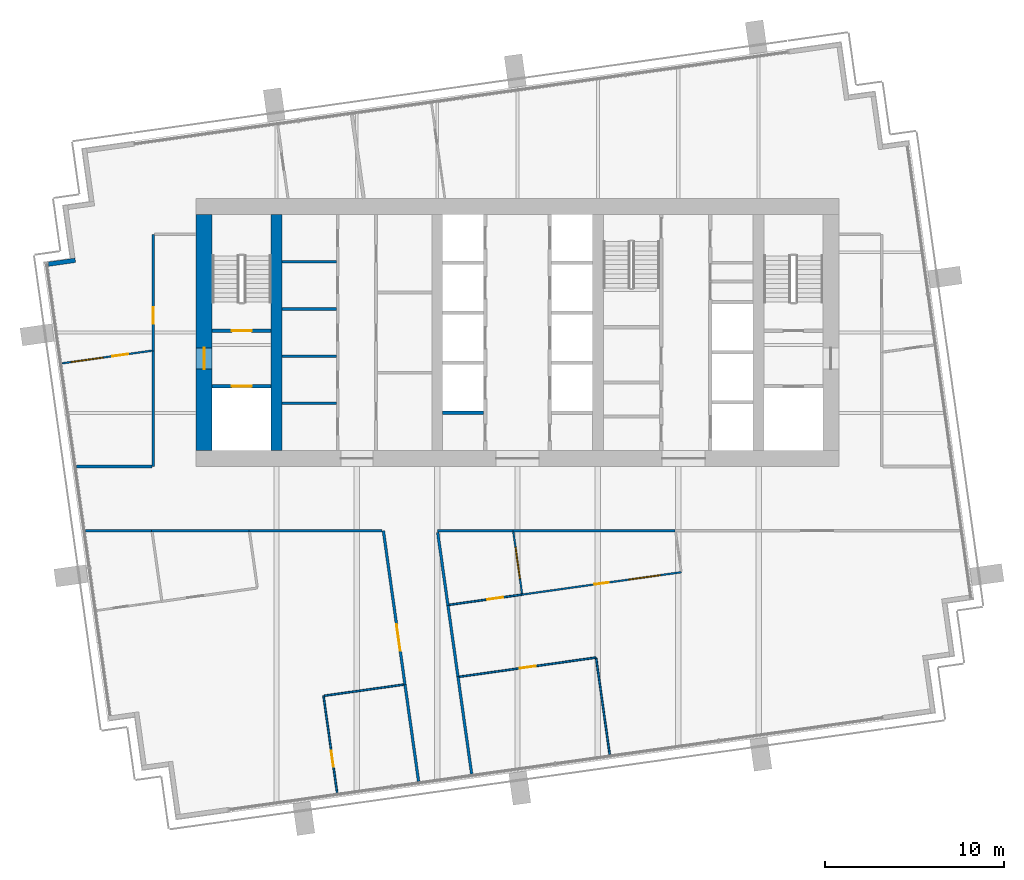
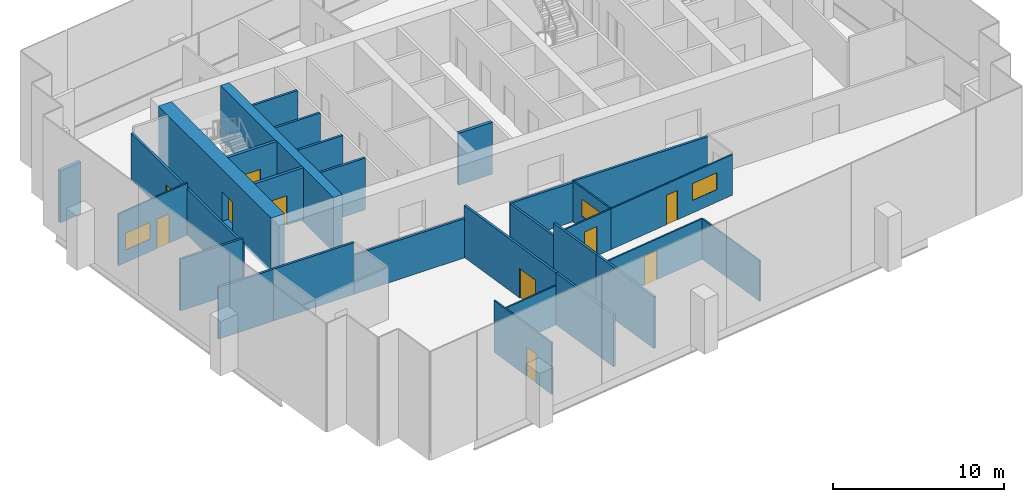
# One storey, part 8 of 15: 31 walls, 10 doors, 3 windows, 13 openings.
"""IFC4 building model written with IfcOpenShell, lengths in metres."""

import ifcopenshell
import ifcopenshell.guid

model = None  # the IFC model being written
_history = None  # IfcOwnerHistory: only IFC2X3 demands one
_inside = {}  # id of a spatial element -> (the spatial element, [elements in it])
_under = {}  # id of a project, library or spatial element -> (it, [spatial elements below it])
_declared = {}  # id of a project -> (the project, [libraries it declares])
_typed = {}  # id of a type object -> (the type object, [elements of that type])
_made_of = {}  # id of a material, layer set ... -> (it, [elements and type objects made of it])


def new_model(schema):
    """Start an empty IFC model of exactly this schema.

    Asked for "IFC4X3", IfcOpenShell would pick the latest addendum, in which some entities
    have other attributes; the version numbers below select the first issue.
    IFC2X3 requires an IfcOwnerHistory on every rooted entity: one is made here for all.
    """
    global model, _history
    if schema == "IFC4X3":
        model = ifcopenshell.file(schema_version=(4, 3, 0, 0))
    else:
        model = ifcopenshell.file(schema=schema)
    _inside.clear()
    _under.clear()
    _declared.clear()
    _typed.clear()
    _made_of.clear()
    _history = None
    if model.schema == "IFC2X3":
        org = make("IfcOrganization", Name="unknown")
        user = make(
            "IfcPersonAndOrganization",
            ThePerson=make("IfcPerson", FamilyName="unknown"),
            TheOrganization=org,
        )
        app = make(
            "IfcApplication",
            ApplicationDeveloper=org,
            Version="unknown",
            ApplicationFullName="unknown",
            ApplicationIdentifier="unknown",
        )
        _history = make(
            "IfcOwnerHistory",
            OwningUser=user,
            OwningApplication=app,
            ChangeAction="ADDED",
            CreationDate=0,
        )
    return model


def make(cls, **values):
    """One entity of the class cls with the attributes given. An attribute that is None is left unset."""
    return model.create_entity(
        cls, **{name: value for name, value in values.items() if value is not None}
    )


def rooted(cls, **values):
    """An entity with a GlobalId (a new one), such as an element, a storey or a relation."""
    return make(cls, GlobalId=ifcopenshell.guid.new(), OwnerHistory=_history, **values)


def si_unit(unit_type, name, prefix=None):
    """IfcSIUnit, for example si_unit("LENGTHUNIT", "METRE", prefix="MILLI")."""
    return make("IfcSIUnit", UnitType=unit_type, Prefix=prefix, Name=name)


def assignment(units):
    """IfcUnitAssignment: the units of a project."""
    return None if units is None else make("IfcUnitAssignment", Units=units)


def point(xyz):
    """IfcCartesianPoint."""
    return None if xyz is None else make("IfcCartesianPoint", Coordinates=xyz)


def direction(xyz):
    """IfcDirection."""
    return None if xyz is None else make("IfcDirection", DirectionRatios=xyz)


def frame(location, z_axis=None, x_axis=None):
    """IfcAxis2Placement3D, a coordinate frame: its origin and axes. An axis left out is left unset."""
    return make(
        "IfcAxis2Placement3D",
        Location=point(location),
        Axis=direction(z_axis),
        RefDirection=direction(x_axis),
    )


def frame_2d(location, x_axis=None):
    """IfcAxis2Placement2D, a coordinate frame in the plane: its origin and x axis."""
    return make(
        "IfcAxis2Placement2D", Location=point(location), RefDirection=direction(x_axis)
    )


def origin():
    """The frame at (0, 0, 0) with its axes left unset."""
    return frame((0.0, 0.0, 0.0))


def place(relative_to, where):
    """IfcLocalPlacement: puts the frame where relative to a parent placement (None: the world)."""
    return make(
        "IfcLocalPlacement", PlacementRelTo=relative_to, RelativePlacement=where
    )


def context(
    kind, dimensions, precision=None, world=None, true_north=None, identifier=None
):
    """IfcGeometricRepresentationContext, for example the 3D "Model" context."""
    return make(
        "IfcGeometricRepresentationContext",
        ContextIdentifier=identifier,
        ContextType=kind,
        CoordinateSpaceDimension=dimensions,
        Precision=precision,
        WorldCoordinateSystem=world,
        TrueNorth=true_north,
    )


def subcontext(parent, identifier, kind, view, scale=None):
    """IfcGeometricRepresentationSubContext, for example "Body" below "Model"."""
    return make(
        "IfcGeometricRepresentationSubContext",
        ContextIdentifier=identifier,
        ContextType=kind,
        ParentContext=parent,
        TargetScale=scale,
        TargetView=view,
    )


def project(units=None, contexts=None):
    """IfcProject with its units and contexts."""
    return rooted(
        "IfcProject",
        Name="project",
        RepresentationContexts=contexts,
        UnitsInContext=assignment(units),
    )


def spatial(cls, under=None, at=None, **own):
    """A site, building, storey or space (cls), placed at a placement, below another one or the project."""
    s = rooted(cls, ObjectPlacement=at, **own)
    if under is not None:
        _under.setdefault(under.id(), (under, []))[1].append(s)
    return s


def profile(cls, at=None, kind="AREA", **sizes):
    """A parametric profile (cls). Its sizes go by their IFC names, for example OverallWidth=200.0."""
    return make(cls, ProfileType=kind, Position=at, **sizes)


def rectangle(**sizes):
    """IfcRectangleProfileDef."""
    return profile("IfcRectangleProfileDef", **sizes)


def extrude(swept, where, along, depth):
    """IfcExtrudedAreaSolid: the profile swept, set in the frame where, extruded along a direction by depth."""
    return make(
        "IfcExtrudedAreaSolid",
        SweptArea=swept,
        Position=where,
        ExtrudedDirection=direction(along),
        Depth=depth,
    )


def shape(context_of_items, identifier, shape_type, items):
    """IfcShapeRepresentation: the items that make up one representation, for example the "Body"."""
    return make(
        "IfcShapeRepresentation",
        ContextOfItems=context_of_items,
        RepresentationIdentifier=identifier,
        RepresentationType=shape_type,
        Items=items,
    )


def material(Name=None, Category=None):
    """IfcMaterial."""
    return make("IfcMaterial", Name=Name, Category=Category)


def layer(
    of_material, thickness, ventilated=None, Name=None, Category=None, Priority=None
):
    """IfcMaterialLayer: one layer of a wall or slab, of a material (None: an air gap)."""
    return make(
        "IfcMaterialLayer",
        Material=of_material,
        LayerThickness=thickness,
        IsVentilated=ventilated,
        Name=Name,
        Category=Category,
        Priority=Priority,
    )


def layer_set(layers, Name=None):
    """IfcMaterialLayerSet."""
    return make("IfcMaterialLayerSet", MaterialLayers=layers, LayerSetName=Name)


def made_of(thing, what):
    """Note that an element or type object is made of a material, layer set ...; save() writes the relation."""
    if what is not None:
        _made_of.setdefault(what.id(), (what, []))[1].append(thing)
    return thing


def type_object(cls, material=None, **own):
    """A type object (cls), such as IfcWallType, which elements share."""
    return made_of(rooted(cls, **own), material)


def element(
    cls,
    number,
    at=None,
    inside=None,
    cuts=None,
    type_object=None,
    material=None,
    context=None,
    identifier="Body",
    shape_type=None,
    held_by="IfcProductDefinitionShape",
    body=None,
    shapes=None,
    **own,
):
    """One element of the class cls, such as IfcWall. Its Tag is "e" and its number.

    at: its placement. inside: the storey or other place that contains it. cuts: it is an
    opening in that element (IfcRelVoidsElement). A single representation is given by context,
    identifier, shape_type and body (its items); several are given by shapes. held_by: the class
    of the entity that holds the representations. save() writes the other relations.
    """
    e = rooted(cls, Tag="e%d" % number, ObjectPlacement=at, **own)
    if body is not None:
        shapes = [shape(context, identifier, shape_type, body)]
    if shapes is not None:
        e.Representation = make(held_by, Representations=shapes)
    if inside is not None:
        _inside.setdefault(inside.id(), (inside, []))[1].append(e)
    if cuts is not None:
        rooted(
            "IfcRelVoidsElement", RelatingBuildingElement=cuts, RelatedOpeningElement=e
        )
    if type_object is not None:
        _typed.setdefault(type_object.id(), (type_object, []))[1].append(e)
    return made_of(e, material)


def fill(opening, filler):
    """IfcRelFillsElement: the door or window that sits in an opening."""
    return rooted(
        "IfcRelFillsElement",
        RelatingOpeningElement=opening,
        RelatedBuildingElement=filler,
    )


def aggregate(whole, parts):
    """IfcRelAggregates: a whole, such as a stair, and the parts it consists of."""
    return rooted("IfcRelAggregates", RelatingObject=whole, RelatedObjects=parts)


def save(model, path):
    """Write the relations noted so far, then the file.

    IfcRelAggregates (storeys below a building ...), IfcRelContainedInSpatialStructure (elements
    in a storey), IfcRelDefinesByType, IfcRelAssociatesMaterial and IfcRelDeclares: one each for
    every whole, place, type object, material and project.
    """
    for whole, parts in _under.values():
        aggregate(whole, parts)
    for where, things in _inside.values():
        rooted(
            "IfcRelContainedInSpatialStructure",
            RelatedElements=things,
            RelatingStructure=where,
        )
    for kind, things in _typed.values():
        rooted("IfcRelDefinesByType", RelatedObjects=things, RelatingType=kind)
    for what, things in _made_of.values():
        rooted("IfcRelAssociatesMaterial", RelatedObjects=things, RelatingMaterial=what)
    for by, libraries in _declared.values():
        rooted("IfcRelDeclares", RelatingContext=by, RelatedDefinitions=libraries)
    model.write(path)


model = new_model("IFC4")

# Units and contexts
model_context = context("Model", 3, precision=1e-05, world=origin(), true_north=direction((0.0, 1.0)))
body_context = subcontext(model_context, "Body", "Model", "MODEL_VIEW")
ifc_project = project(units=[si_unit("LENGTHUNIT", "METRE"), si_unit("AREAUNIT", "SQUARE_METRE"), si_unit("VOLUMEUNIT", "CUBIC_METRE"), si_unit("PLANEANGLEUNIT", "RADIAN"), si_unit("MASSUNIT", "GRAM", prefix="KILO")], contexts=[model_context])

# Site, building, storey
site_placement = place(None, origin())
site = spatial("IfcSite", under=ifc_project, at=site_placement, CompositionType="ELEMENT")
building_placement = place(site_placement, origin())
building = spatial("IfcBuilding", under=site, at=building_placement, Name="Rattan Terrace Tower", CompositionType="ELEMENT")
storey_placement = place(building_placement, frame((0.0, 0.0, 255.10009765625)))
storey = spatial("IfcBuildingStorey", under=building, at=storey_placement, Name="L58", CompositionType="ELEMENT", Elevation=255.10009765625)

# Walls
ifc_material_1 = material(Name="Gypsum board partition")
ifc_layer_1 = layer(ifc_material_1, 0.14990234375)
ifc_layer_set_1 = layer_set([ifc_layer_1], Name="Core partition 150")
wall_type_1 = type_object("IfcWallType", Name="Core partition 150", PredefinedType="PARTITIONING", material=ifc_layer_set_1)
for number, where, z_axis, x_axis, name in (
    (1, (-13.199951171875, -3.9599609375, 0.0), (0.0, 0.0, 1.0), (1.0, 0.0, 0.0), "Core room wall"),
    (2, (-13.199951171875, -1.320068359375, 0.0), (0.0, 0.0, 1.0), (1.0, 0.0, 0.0), "Core room wall"),
    (3, (-13.199951171875, 1.320068359375, 0.0), (0.0, 0.0, 1.0), (1.0, 0.0, 0.0), "Core room wall"),
    (4, (-13.199951171875, 3.9599609375, 0.0), (0.0, 0.0, 1.0), (1.0, 0.0, 0.0), "Core room wall"),
):
    element("IfcWall", number, at=place(storey_placement, frame(where, z_axis=z_axis, x_axis=x_axis)), inside=storey, type_object=wall_type_1, Name=name, PredefinedType="PARTITIONING", context=body_context, shape_type="SweptSolid", body=[
        extrude(rectangle(XDim=3.050048828125, YDim=0.14990234375, at=frame_2d((1.52490234375, 0.0))), origin(), (0.0, 0.0, 1.0), 3.699951171875),
    ])

# Wall, opening, door
ifc_material_2 = material(Name="Gypsum board partition")
ifc_layer_2 = layer(ifc_material_2, 0.199951171875)
ifc_layer_set_2 = layer_set([ifc_layer_2], Name="Core partition 200")
wall_type_2 = type_object("IfcWallType", Name="Core partition 200", PredefinedType="PARTITIONING", material=ifc_layer_set_2)
wall_1_placement = place(storey_placement, frame((-17.10009765625, -3.0, 0.0), z_axis=(0.0, 0.0, 1.0), x_axis=(1.0, 0.0, 0.0)))
wall_1 = element("IfcWall", 5, at=wall_1_placement, inside=storey, type_object=wall_type_2, Name="Fire-fighting lobby wall", PredefinedType="PARTITIONING", context=body_context, shape_type="SweptSolid", body=[
    extrude(rectangle(XDim=3.300048828125, YDim=0.199951171875, at=frame_2d((1.64990234375, 0.0))), origin(), (0.0, 0.0, 1.0), 3.699951171875),
])
opening_1_placement = place(wall_1_placement, frame((1.10009765625, 0.0, 0.0)))
opening_1 = element("IfcOpeningElement", 6, at=opening_1_placement, cuts=wall_1, Name="Opening L58-LD-FF1", PredefinedType="OPENING", context=body_context, shape_type="SweptSolid", body=[
    extrude(rectangle(XDim=1.10009765625, YDim=2.10009765625, at=frame_2d((0.550048828125, 1.050048828125))), frame((0.0, 0.110595703125, 0.0), z_axis=(0.0, -1.0, 0.0), x_axis=(1.0, 0.0, 0.0)), (0.0, 0.0, 1.0), 0.220947265625),
])
ifc_material_3 = material(Name="Brushed stainless landing door panel")
door_type_1 = type_object("IfcDoorType", Name="Core lift landing door 1100", OperationType="DOUBLE_DOOR_SLIDING", PredefinedType="DOOR", material=ifc_material_3)
door_1_placement = place(opening_1_placement, origin())
door_1 = element("IfcDoor", 7, at=door_1_placement, inside=storey, type_object=door_type_1, Name="Door L58-LD-FF1", OperationType="DOUBLE_DOOR_SLIDING", OverallHeight=2.10009765625, OverallWidth=1.10009765625, PredefinedType="DOOR", context=body_context, shape_type="SweptSolid", body=[
    extrude(rectangle(XDim=1.10009765625, YDim=2.10009765625, at=frame_2d((0.550048828125, 1.050048828125))), frame((0.0, 0.02490234375, 0.0), z_axis=(0.0, -1.0, 0.0), x_axis=(1.0, 0.0, 0.0)), (0.0, 0.0, 1.0), 0.050048828125),
])
fill(opening_1, door_1)

wall_2_placement = place(storey_placement, frame((-17.10009765625, 0.10009765625, 0.0), z_axis=(0.0, 0.0, 1.0), x_axis=(1.0, 0.0, 0.0)))
wall_2 = element("IfcWall", 8, at=wall_2_placement, inside=storey, type_object=wall_type_2, Name="Stair enclosure wall", PredefinedType="PARTITIONING", context=body_context, shape_type="SweptSolid", body=[
    extrude(rectangle(XDim=3.300048828125, YDim=0.199951171875, at=frame_2d((1.64990234375, 0.0))), origin(), (0.0, 0.0, 1.0), 3.699951171875),
])
opening_2_placement = place(wall_2_placement, frame((1.10009765625, 0.0, 0.0)))
opening_2 = element("IfcOpeningElement", 9, at=opening_2_placement, cuts=wall_2, Name="Opening L58-D002", PredefinedType="OPENING", context=body_context, shape_type="SweptSolid", body=[
    extrude(rectangle(XDim=1.10009765625, YDim=2.10009765625, at=frame_2d((0.550048828125, 1.050048828125))), frame((0.0, 0.110595703125, 0.0), z_axis=(0.0, -1.0, 0.0), x_axis=(1.0, 0.0, 0.0)), (0.0, 0.0, 1.0), 0.220947265625),
])
ifc_material_4 = material(Name="Hollow-metal fire door leaf")
door_type_2 = type_object("IfcDoorType", Name="Core stair door 1100", OperationType="NOTDEFINED", PredefinedType="DOOR", material=ifc_material_4)
door_2_placement = place(opening_2_placement, origin())
door_2 = element("IfcDoor", 10, at=door_2_placement, inside=storey, type_object=door_type_2, Name="Door L58-D002", OperationType="SINGLE_SWING_RIGHT", OverallHeight=2.10009765625, OverallWidth=1.10009765625, PredefinedType="DOOR", context=body_context, shape_type="SweptSolid", body=[
    extrude(rectangle(XDim=1.10009765625, YDim=2.10009765625, at=frame_2d((0.550048828125, 1.050048828125))), frame((0.0, 0.02490234375, 0.0), z_axis=(0.0, -1.0, 0.0), x_axis=(1.0, 0.0, 0.0)), (0.0, 0.0, 1.0), 0.050048828125),
])
fill(opening_2, door_2)

ifc_material_5 = material(Name="Concrete C50/60", Category="concrete")
ifc_layer_3 = layer(ifc_material_5, 0.89990234375)
ifc_layer_set_3 = layer_set([ifc_layer_3], Name="Core ring wall 900 C50/60")
wall_type_3 = type_object("IfcWallType", Name="Core ring wall 900 C50/60", PredefinedType="SHEAR", material=ifc_layer_set_3)
wall_3_placement = place(storey_placement, frame((-17.550048828125, -6.60009765625, -0.2001953125), z_axis=(0.0, 0.0, 1.0), x_axis=(0.0, 1.0, 0.0)))
wall_3 = element("IfcWall", 11, at=wall_3_placement, inside=storey, type_object=wall_type_3, Name="Rear core wall west", PredefinedType="SHEAR", context=body_context, shape_type="SweptSolid", body=[
    extrude(rectangle(XDim=13.2001953125, YDim=0.89990234375, at=frame_2d((6.60009765625, 0.0))), origin(), (0.0, 0.0, 1.0), 3.900146484375),
])
opening_3_placement = place(wall_3_placement, frame((4.550048828125, 0.0, 0.199951171875)))
opening_3 = element("IfcOpeningElement", 12, at=opening_3_placement, cuts=wall_3, Name="Opening L58-D001", PredefinedType="OPENING", context=body_context, shape_type="SweptSolid", body=[
    extrude(rectangle(XDim=1.199951171875, YDim=2.10009765625, at=frame_2d((0.60009765625, 1.050048828125))), frame((0.0, 0.46044921875, 0.0), z_axis=(0.0, -1.0, 0.0), x_axis=(1.0, 0.0, 0.0)), (0.0, 0.0, 1.0), 0.9208984375),
])
ifc_material_6 = material(Name="Hollow-metal fire door leaf")
door_type_3 = type_object("IfcDoorType", Name="Core fire-fighting lobby door 1200", OperationType="NOTDEFINED", PredefinedType="DOOR", material=ifc_material_6)
door_3_placement = place(opening_3_placement, origin())
door_3 = element("IfcDoor", 13, at=door_3_placement, inside=storey, type_object=door_type_3, Name="Door L58-D001", OperationType="SINGLE_SWING_LEFT", OverallHeight=2.10009765625, OverallWidth=1.199951171875, PredefinedType="DOOR", context=body_context, shape_type="SweptSolid", body=[
    extrude(rectangle(XDim=1.199951171875, YDim=2.10009765625, at=frame_2d((0.60009765625, 1.050048828125))), frame((0.0, 0.02490234375, 0.0), z_axis=(0.0, -1.0, 0.0), x_axis=(1.0, 0.0, 0.0)), (0.0, 0.0, 1.0), 0.050048828125),
])
fill(opening_3, door_3)

# Walls
ifc_material_7 = material(Name="Concrete C50/60", Category="concrete")
ifc_layer_4 = layer(ifc_material_7, 0.60009765625)
ifc_layer_set_4 = layer_set([ifc_layer_4], Name="Core spine wall 600 C50/60")
wall_type_4 = type_object("IfcWallType", Name="Core spine wall 600 C50/60", PredefinedType="SHEAR", material=ifc_layer_set_4)
wall_4_placement = place(storey_placement, frame((-13.5, -6.60009765625, -0.2001953125), z_axis=(0.0, 0.0, 1.0), x_axis=(0.0, 1.0, 0.0)))
element("IfcWall", 14, at=wall_4_placement, inside=storey, type_object=wall_type_4, Name="Core spine wall 1", PredefinedType="SHEAR", context=body_context, shape_type="SweptSolid", body=[
    extrude(rectangle(XDim=13.2001953125, YDim=0.60009765625, at=frame_2d((6.60009765625, 0.0))), origin(), (0.0, 0.0, 1.0), 3.900146484375),
])
ifc_material_8 = material(Name="Insulated aluminium-clad stud wall", Category="aluminium")
ifc_layer_5 = layer(ifc_material_8, 0.25)
ifc_layer_set_5 = layer_set([ifc_layer_5], Name="Facade Riser Wall 250")
wall_type_5 = type_object("IfcWallType", Name="Facade Riser Wall 250", PredefinedType="SOLIDWALL", material=ifc_layer_set_5)
wall_5_placement = place(storey_placement, frame((-24.769287109375, 4.045654296875, 0.0), z_axis=(0.0, 0.0, 1.0), x_axis=(-0.990260716096, -0.139225407725, 0.0)))
element("IfcWall", 15, at=wall_5_placement, inside=storey, type_object=wall_type_5, Name="Riser wall L58-15", PredefinedType="SOLIDWALL", context=body_context, shape_type="SweptSolid", body=[
    extrude(rectangle(XDim=1.525634765625, YDim=0.25, at=frame_2d((0.7626953125, 0.0))), origin(), (0.0, 0.0, 1.0), 3.699951171875),
])

# Wall, opening, door
ifc_material_9 = material(Name="Gypsum board partition on steel studs", Category="steel")
ifc_layer_6 = layer(ifc_material_9, 0.10009765625)
ifc_layer_set_6 = layer_set([ifc_layer_6], Name="Floors Partition 100")
wall_type_6 = type_object("IfcWallType", Name="Floors Partition 100", PredefinedType="PARTITIONING", material=ifc_layer_set_6)
wall_6_placement = place(storey_placement, frame((-10.868896484375, -20.346923828125, 0.0), z_axis=(0.0, 0.0, 1.0), x_axis=(0.139213194633, -0.990262433116, 0.0)))
wall_6 = element("IfcWall", 16, at=wall_6_placement, inside=storey, type_object=wall_type_6, Name="pt-L58-020", PredefinedType="PARTITIONING", context=body_context, shape_type="SweptSolid", body=[
    extrude(rectangle(XDim=5.48046875, YDim=0.10009765625, at=frame_2d((2.740234375, 0.0))), origin(), (0.0, 0.0, 1.0), 3.699951171875),
])
opening_4_placement = place(wall_6_placement, frame((3.10595703125, 0.0, 0.0)))
opening_4 = element("IfcOpeningElement", 17, at=opening_4_placement, cuts=wall_6, Name="Opening L58-D101", PredefinedType="OPENING", context=body_context, shape_type="SweptSolid", body=[
    extrude(rectangle(XDim=0.89990234375, YDim=2.10009765625, at=frame_2d((0.449951171875, 1.050048828125))), frame((0.0, 0.060546875, 0.0), z_axis=(0.0, -1.0, 0.0), x_axis=(1.0, 0.0, 0.0)), (0.0, 0.0, 1.0), 0.12109375),
])
ifc_material_10 = material(Name="Solid core timber door, painted", Category="wood")
door_type_4 = type_object("IfcDoorType", Name="Floors Door 900x2100", OperationType="NOTDEFINED", PredefinedType="DOOR", material=ifc_material_10)
door_4_placement = place(opening_4_placement, origin())
door_4 = element("IfcDoor", 18, at=door_4_placement, inside=storey, type_object=door_type_4, Name="d-L58-101", OperationType="SINGLE_SWING_RIGHT", OverallHeight=2.10009765625, OverallWidth=0.89990234375, PredefinedType="DOOR", context=body_context, shape_type="SweptSolid", body=[
    extrude(rectangle(XDim=0.89990234375, YDim=2.10009765625, at=frame_2d((0.449951171875, 1.050048828125))), frame((0.0, 0.02490234375, 0.0), z_axis=(0.0, -1.0, 0.0), x_axis=(1.0, 0.0, 0.0)), (0.0, 0.0, 1.0), 0.050048828125),
])
fill(opening_4, door_4)

# Wall
wall_7_placement = place(storey_placement, frame((-6.3798828125, -19.716064453125, 0.0), z_axis=(0.0, 0.0, 1.0), x_axis=(-0.990263970159, -0.139202260778, 0.0)))
element("IfcWall", 19, at=wall_7_placement, inside=storey, type_object=wall_type_6, Name="pt-L58-021", PredefinedType="PARTITIONING", context=body_context, shape_type="SweptSolid", body=[
    extrude(rectangle(XDim=4.48291015625, YDim=0.10009765625, at=frame_2d((2.241455078125, 0.0))), origin(), (0.0, 0.0, 1.0), 2.7998046875),
])

# Wall, opening, door
wall_8_placement = place(storey_placement, frame((4.39794921875, -18.201904296875, 0.0), z_axis=(0.0, 0.0, 1.0), x_axis=(-0.990252156894, -0.139286272714, 0.0)))
wall_8 = element("IfcWall", 20, at=wall_8_placement, inside=storey, type_object=wall_type_6, Name="pt-L58-026", PredefinedType="PARTITIONING", context=body_context, shape_type="SweptSolid", body=[
    extrude(rectangle(XDim=7.7333984375, YDim=0.10009765625, at=frame_2d((3.86669921875, 0.0))), origin(), (0.0, 0.0, 1.0), 2.89990234375),
])
opening_5_placement = place(wall_8_placement, frame((3.4169921875, 0.0, 0.0)))
opening_5 = element("IfcOpeningElement", 21, at=opening_5_placement, cuts=wall_8, Name="Opening L58-D105", PredefinedType="OPENING", context=body_context, shape_type="SweptSolid", body=[
    extrude(rectangle(XDim=0.89990234375, YDim=2.10009765625, at=frame_2d((0.449951171875, 1.050048828125))), frame((0.0, 0.060546875, 0.0), z_axis=(0.0, -1.0, 0.0), x_axis=(1.0, 0.0, 0.0)), (0.0, 0.0, 1.0), 0.12109375),
])
door_5_placement = place(opening_5_placement, origin())
door_5 = element("IfcDoor", 22, at=door_5_placement, inside=storey, type_object=door_type_4, Name="d-L58-105", OperationType="SINGLE_SWING_RIGHT", OverallHeight=2.10009765625, OverallWidth=0.89990234375, PredefinedType="DOOR", context=body_context, shape_type="SweptSolid", body=[
    extrude(rectangle(XDim=0.89990234375, YDim=2.10009765625, at=frame_2d((0.449951171875, 1.050048828125))), frame((0.0, 0.02490234375, 0.0), z_axis=(0.0, -1.0, 0.0), x_axis=(1.0, 0.0, 0.0)), (0.0, 0.0, 1.0), 0.050048828125),
])
fill(opening_5, door_5)

# Wall
wall_9_placement = place(storey_placement, frame((5.160888671875, -23.6279296875, 0.0), z_axis=(0.0, 0.0, 1.0), x_axis=(-0.139205228836, 0.990263552932, 0.0)))
element("IfcWall", 23, at=wall_9_placement, inside=storey, type_object=wall_type_6, Name="pt-L58-027", PredefinedType="PARTITIONING", context=body_context, shape_type="SweptSolid", body=[
    extrude(rectangle(XDim=5.429931640625, YDim=0.10009765625, at=frame_2d((2.71484375, 0.0))), origin(), (0.0, 0.0, 1.0), 2.89990234375),
])

# Wall, opening, door
wall_10_placement = place(storey_placement, frame((-3.825927734375, -15.248046875, 0.0), z_axis=(0.0, 0.0, 1.0), x_axis=(0.990304461309, 0.138913908276, 0.0)))
wall_10 = element("IfcWall", 24, at=wall_10_placement, inside=storey, type_object=wall_type_6, Name="pt-L58-028", PredefinedType="PARTITIONING", context=body_context, shape_type="SweptSolid", body=[
    extrude(rectangle(XDim=4.103759765625, YDim=0.10009765625, at=frame_2d((2.0517578125, 0.0))), origin(), (0.0, 0.0, 1.0), 2.89990234375),
])
opening_6_placement = place(wall_10_placement, frame((2.14306640625, 0.0, 0.0)))
opening_6 = element("IfcOpeningElement", 25, at=opening_6_placement, cuts=wall_10, Name="Opening L58-D106", PredefinedType="OPENING", context=body_context, shape_type="SweptSolid", body=[
    extrude(rectangle(XDim=0.89990234375, YDim=2.10009765625, at=frame_2d((0.449951171875, 1.050048828125))), frame((0.0, 0.060546875, 0.0), z_axis=(0.0, -1.0, 0.0), x_axis=(1.0, 0.0, 0.0)), (0.0, 0.0, 1.0), 0.12109375),
])
door_6_placement = place(opening_6_placement, origin())
door_6 = element("IfcDoor", 26, at=door_6_placement, inside=storey, type_object=door_type_4, Name="d-L58-106", OperationType="SINGLE_SWING_RIGHT", OverallHeight=2.10009765625, OverallWidth=0.89990234375, PredefinedType="DOOR", context=body_context, shape_type="SweptSolid", body=[
    extrude(rectangle(XDim=0.89990234375, YDim=2.10009765625, at=frame_2d((0.449951171875, 1.050048828125))), frame((0.0, 0.02490234375, 0.0), z_axis=(0.0, -1.0, 0.0), x_axis=(1.0, 0.0, 0.0)), (0.0, 0.0, 1.0), 0.050048828125),
])
fill(opening_6, door_6)

# Wall, openings, door, window
wall_11_placement = place(storey_placement, frame((0.238037109375, -14.677978515625, 0.0), z_axis=(0.0, 0.0, 1.0), x_axis=(0.990261534953, 0.139219583367, 0.0)))
wall_11 = element("IfcWall", 27, at=wall_11_placement, inside=storey, type_object=wall_type_6, Name="pt-L58-029", PredefinedType="PARTITIONING", context=body_context, shape_type="SweptSolid", body=[
    extrude(rectangle(XDim=9.020751953125, YDim=0.10009765625, at=frame_2d((4.51025390625, 0.0))), origin(), (0.0, 0.0, 1.0), 2.89990234375),
])
opening_7_placement = place(wall_11_placement, frame((4.110107421875, 0.0, 0.0)))
opening_7 = element("IfcOpeningElement", 28, at=opening_7_placement, cuts=wall_11, Name="Opening L58-D107", PredefinedType="OPENING", context=body_context, shape_type="SweptSolid", body=[
    extrude(rectangle(XDim=0.800048828125, YDim=2.10009765625, at=frame_2d((0.39990234375, 1.050048828125))), frame((0.0, 0.060546875, 0.0), z_axis=(0.0, -1.0, 0.0), x_axis=(1.0, 0.0, 0.0)), (0.0, 0.0, 1.0), 0.12109375),
])
opening_8_placement = place(wall_11_placement, frame((6.041015625, 0.0, 0.89990234375)))
opening_8 = element("IfcOpeningElement", 29, at=opening_8_placement, cuts=wall_11, Name="Opening L58-W101", PredefinedType="OPENING", context=body_context, shape_type="SweptSolid", body=[
    extrude(rectangle(XDim=1.800048828125, YDim=1.199951171875, at=frame_2d((0.89990234375, 0.60009765625))), frame((0.0, 0.060546875, 0.0), z_axis=(0.0, -1.0, 0.0), x_axis=(1.0, 0.0, 0.0)), (0.0, 0.0, 1.0), 0.12109375),
])
ifc_material_11 = material(Name="Solid core timber door, painted", Category="wood")
door_type_5 = type_object("IfcDoorType", Name="Floors Store Door 800x2100", OperationType="NOTDEFINED", PredefinedType="DOOR", material=ifc_material_11)
door_7_placement = place(opening_7_placement, origin())
door_7 = element("IfcDoor", 30, at=door_7_placement, inside=storey, type_object=door_type_5, Name="d-L58-107", OperationType="SINGLE_SWING_RIGHT", OverallHeight=2.10009765625, OverallWidth=0.800048828125, PredefinedType="DOOR", context=body_context, shape_type="SweptSolid", body=[
    extrude(rectangle(XDim=0.800048828125, YDim=2.10009765625, at=frame_2d((0.39990234375, 1.050048828125))), frame((0.0, 0.02490234375, 0.0), z_axis=(0.0, -1.0, 0.0), x_axis=(1.0, 0.0, 0.0)), (0.0, 0.0, 1.0), 0.050048828125),
])
fill(opening_7, door_7)
ifc_material_12 = material(Name="Glass, clear, fixed in aluminium frame", Category="aluminium")
window_type = type_object("IfcWindowType", Name="Interior Vision Window 1800x1200", PartitioningType="SINGLE_PANEL", PredefinedType="WINDOW", material=ifc_material_12)
window_1_placement = place(opening_8_placement, origin())
window_1 = element("IfcWindow", 31, at=window_1_placement, inside=storey, type_object=window_type, Name="w-L58-101", OverallHeight=1.199951171875, OverallWidth=1.800048828125, PartitioningType="SINGLE_PANEL", PredefinedType="WINDOW", context=body_context, shape_type="SweptSolid", body=[
    extrude(rectangle(XDim=1.800048828125, YDim=1.199951171875, at=frame_2d((0.89990234375, 0.60009765625))), frame((0.0, 0.030029296875, 0.0), z_axis=(0.0, -1.0, 0.0), x_axis=(1.0, 0.0, 0.0)), (0.0, 0.0, 1.0), 0.06005859375),
])
fill(opening_8, window_1)

# Wall, opening, window
wall_12_placement = place(storey_placement, frame((-0.23388671875, -11.16796875, 0.0), z_axis=(0.0, 0.0, 1.0), x_axis=(0.138894773338, -0.990307145253, 0.0)))
wall_12 = element("IfcWall", 32, at=wall_12_placement, inside=storey, type_object=wall_type_6, Name="pt-L58-031", PredefinedType="PARTITIONING", context=body_context, shape_type="SweptSolid", body=[
    extrude(rectangle(XDim=3.490966796875, YDim=0.10009765625, at=frame_2d((1.74560546875, 0.0))), origin(), (0.0, 0.0, 1.0), 2.89990234375),
])
opening_9_placement = place(wall_12_placement, frame((0.85400390625, 0.0, 0.89990234375)))
opening_9 = element("IfcOpeningElement", 33, at=opening_9_placement, cuts=wall_12, Name="Opening L58-W103", PredefinedType="OPENING", context=body_context, shape_type="SweptSolid", body=[
    extrude(rectangle(XDim=1.800048828125, YDim=1.199951171875, at=frame_2d((0.89990234375, 0.60009765625))), frame((0.0, 0.060546875, 0.0), z_axis=(0.0, -1.0, 0.0), x_axis=(1.0, 0.0, 0.0)), (0.0, 0.0, 1.0), 0.12109375),
])
window_2_placement = place(opening_9_placement, origin())
window_2 = element("IfcWindow", 34, at=window_2_placement, inside=storey, type_object=window_type, Name="w-L58-103", OverallHeight=1.199951171875, OverallWidth=1.800048828125, PartitioningType="SINGLE_PANEL", PredefinedType="WINDOW", context=body_context, shape_type="SweptSolid", body=[
    extrude(rectangle(XDim=1.800048828125, YDim=1.199951171875, at=frame_2d((0.89990234375, 0.60009765625))), frame((0.0, 0.030029296875, 0.0), z_axis=(0.0, -1.0, 0.0), x_axis=(1.0, 0.0, 0.0)), (0.0, 0.0, 1.0), 0.06005859375),
])
fill(opening_9, window_2)

# Wall, openings, door, window
wall_13_placement = place(storey_placement, frame((-20.468017578125, -1.013916015625, 0.0), z_axis=(0.0, 0.0, 1.0), x_axis=(-0.990280538481, -0.139084345292, 0.0)))
wall_13 = element("IfcWall", 35, at=wall_13_placement, inside=storey, type_object=wall_type_6, Name="pt-L58-032", PredefinedType="PARTITIONING", context=body_context, shape_type="SweptSolid", body=[
    extrude(rectangle(XDim=5.090576171875, YDim=0.10009765625, at=frame_2d((2.54541015625, 0.0))), origin(), (0.0, 0.0, 1.0), 3.699951171875),
])
opening_10_placement = place(wall_13_placement, frame((1.35693359375, 0.0, 0.0)))
opening_10 = element("IfcOpeningElement", 36, at=opening_10_placement, cuts=wall_13, Name="Opening L58-D109", PredefinedType="OPENING", context=body_context, shape_type="SweptSolid", body=[
    extrude(rectangle(XDim=0.89990234375, YDim=2.10009765625, at=frame_2d((0.449951171875, 1.050048828125))), frame((0.0, 0.060546875, 0.0), z_axis=(0.0, -1.0, 0.0), x_axis=(1.0, 0.0, 0.0)), (0.0, 0.0, 1.0), 0.12109375),
])
opening_11_placement = place(wall_13_placement, frame((2.77392578125, 0.0, 0.89990234375)))
opening_11 = element("IfcOpeningElement", 37, at=opening_11_placement, cuts=wall_13, Name="Opening L58-W104", PredefinedType="OPENING", context=body_context, shape_type="SweptSolid", body=[
    extrude(rectangle(XDim=1.800048828125, YDim=1.199951171875, at=frame_2d((0.89990234375, 0.60009765625))), frame((0.0, 0.060546875, 0.0), z_axis=(0.0, -1.0, 0.0), x_axis=(1.0, 0.0, 0.0)), (0.0, 0.0, 1.0), 0.12109375),
])
door_8_placement = place(opening_10_placement, origin())
door_8 = element("IfcDoor", 38, at=door_8_placement, inside=storey, type_object=door_type_4, Name="d-L58-109", OperationType="SINGLE_SWING_LEFT", OverallHeight=2.10009765625, OverallWidth=0.89990234375, PredefinedType="DOOR", context=body_context, shape_type="SweptSolid", body=[
    extrude(rectangle(XDim=0.89990234375, YDim=2.10009765625, at=frame_2d((0.449951171875, 1.050048828125))), frame((0.0, 0.02490234375, 0.0), z_axis=(0.0, -1.0, 0.0), x_axis=(1.0, 0.0, 0.0)), (0.0, 0.0, 1.0), 0.050048828125),
])
fill(opening_10, door_8)
window_3_placement = place(opening_11_placement, origin())
window_3 = element("IfcWindow", 39, at=window_3_placement, inside=storey, type_object=window_type, Name="w-L58-104", OverallHeight=1.199951171875, OverallWidth=1.800048828125, PartitioningType="SINGLE_PANEL", PredefinedType="WINDOW", context=body_context, shape_type="SweptSolid", body=[
    extrude(rectangle(XDim=1.800048828125, YDim=1.199951171875, at=frame_2d((0.89990234375, 0.60009765625))), frame((0.0, 0.030029296875, 0.0), z_axis=(0.0, -1.0, 0.0), x_axis=(1.0, 0.0, 0.0)), (0.0, 0.0, 1.0), 0.06005859375),
])
fill(opening_11, window_3)

# Wall
ifc_material_13 = material(Name="Gypsum board partition on steel studs, fire rated", Category="steel")
ifc_layer_7 = layer(ifc_material_13, 0.14990234375)
ifc_layer_set_7 = layer_set([ifc_layer_7], Name="Floors Tenancy Wall 150")
wall_type_7 = type_object("IfcWallType", Name="Floors Tenancy Wall 150", PredefinedType="PARTITIONING", material=ifc_layer_set_7)
wall_14_placement = place(storey_placement, frame((-7.589111328125, -11.10009765625, 0.0), z_axis=(0.0, 0.0, 1.0), x_axis=(-1.0, 0.0, 0.0)))
element("IfcWall", 40, at=wall_14_placement, inside=storey, type_object=wall_type_7, Name="pt-L58-001", PredefinedType="PARTITIONING", context=body_context, shape_type="SweptSolid", body=[
    extrude(rectangle(XDim=7.452880859375, YDim=0.14990234375, at=frame_2d((3.7265625, 0.0))), origin(), (0.0, 0.0, 1.0), 2.7998046875),
])

# Wall, opening, door
wall_15_placement = place(storey_placement, frame((-6.302978515625, -19.72607421875, 0.0), z_axis=(0.0, 0.0, 1.0), x_axis=(-0.139129433731, 0.990274204789, 0.0)))
wall_15 = element("IfcWall", 41, at=wall_15_placement, inside=storey, type_object=wall_type_7, Name="pt-L58-002", PredefinedType="PARTITIONING", context=body_context, shape_type="SweptSolid", body=[
    extrude(rectangle(XDim=8.710693359375, YDim=0.14990234375, at=frame_2d((4.35546875, 0.0))), origin(), (0.0, 0.0, 1.0), 3.699951171875),
])
opening_12_placement = place(wall_15_placement, frame((1.927978515625, 0.0, 0.0)))
opening_12 = element("IfcOpeningElement", 42, at=opening_12_placement, cuts=wall_15, Name="Opening L58-D100", PredefinedType="OPENING", context=body_context, shape_type="SweptSolid", body=[
    extrude(rectangle(XDim=1.5, YDim=2.10009765625, at=frame_2d((0.75, 1.050048828125))), frame((0.0, 0.08544921875, 0.0), z_axis=(0.0, -1.0, 0.0), x_axis=(1.0, 0.0, 0.0)), (0.0, 0.0, 1.0), 0.1708984375),
])
ifc_material_14 = material(Name="Steel fire door set", Category="steel")
door_type_6 = type_object("IfcDoorType", Name="Floors Unit Door Pair FD30S 1500x2100", OperationType="NOTDEFINED", PredefinedType="DOOR", material=ifc_material_14)
door_9_placement = place(opening_12_placement, origin())
door_9 = element("IfcDoor", 43, at=door_9_placement, inside=storey, type_object=door_type_6, Name="d-L58-100", OperationType="DOUBLE_DOOR_SINGLE_SWING", OverallHeight=2.10009765625, OverallWidth=1.5, PredefinedType="DOOR", context=body_context, shape_type="SweptSolid", body=[
    extrude(rectangle(XDim=1.5, YDim=2.10009765625, at=frame_2d((0.75, 1.050048828125))), frame((0.0, 0.02490234375, 0.0), z_axis=(0.0, -1.0, 0.0), x_axis=(1.0, 0.0, 0.0)), (0.0, 0.0, 1.0), 0.050048828125),
])
fill(opening_12, door_9)

# Walls
wall_16_placement = place(storey_placement, frame((-5.54296875, -25.133056640625, 0.0), z_axis=(0.0, 0.0, 1.0), x_axis=(-0.139192487281, 0.990265343978, 0.0)))
element("IfcWall", 44, at=wall_16_placement, inside=storey, type_object=wall_type_7, Name="pt-L58-003", PredefinedType="PARTITIONING", context=body_context, shape_type="SweptSolid", body=[
    extrude(rectangle(XDim=5.460205078125, YDim=0.14990234375, at=frame_2d((2.72998046875, 0.0))), origin(), (0.0, 0.0, 1.0), 3.699951171875),
])
wall_17_placement = place(storey_placement, frame((-20.4951171875, -11.10009765625, 0.0), z_axis=(0.0, 0.0, 1.0), x_axis=(-1.0, 0.0, 0.0)))
element("IfcWall", 45, at=wall_17_placement, inside=storey, type_object=wall_type_7, Name="pt-L58-004", PredefinedType="PARTITIONING", context=body_context, shape_type="SweptSolid", body=[
    extrude(rectangle(XDim=3.69482421875, YDim=0.14990234375, at=frame_2d((1.847412109375, 0.0))), origin(), (0.0, 0.0, 1.0), 3.699951171875),
])
wall_18_placement = place(storey_placement, frame((-15.0419921875, -11.10009765625, 0.0), z_axis=(0.0, 0.0, 1.0), x_axis=(-1.0, 0.0, 0.0)))
element("IfcWall", 46, at=wall_18_placement, inside=storey, type_object=wall_type_7, Name="pt-L58-005", PredefinedType="PARTITIONING", context=body_context, shape_type="SweptSolid", body=[
    extrude(rectangle(XDim=5.453125, YDim=0.14990234375, at=frame_2d((2.7265625, 0.0))), origin(), (0.0, 0.0, 1.0), 3.699951171875),
])
wall_19_placement = place(storey_placement, frame((-3.89794921875, -15.279052734375, 0.0), z_axis=(0.0, 0.0, 1.0), x_axis=(0.139240905476, -0.990258537071, 0.0)))
element("IfcWall", 47, at=wall_19_placement, inside=storey, type_object=wall_type_7, Name="pt-L58-006", PredefinedType="PARTITIONING", context=body_context, shape_type="SweptSolid", body=[
    extrude(rectangle(XDim=4.029296875, YDim=0.14990234375, at=frame_2d((2.0146484375, 0.0))), origin(), (0.0, 0.0, 1.0), 3.699951171875),
])
wall_20_placement = place(storey_placement, frame((-3.3369140625, -19.26904296875, 0.0), z_axis=(0.0, 0.0, 1.0), x_axis=(0.139059647431, -0.990284006968, 0.0)))
element("IfcWall", 48, at=wall_20_placement, inside=storey, type_object=wall_type_7, Name="pt-L58-008", PredefinedType="PARTITIONING", context=body_context, shape_type="SweptSolid", body=[
    extrude(rectangle(XDim=5.50048828125, YDim=0.14990234375, at=frame_2d((2.750244140625, 0.0))), origin(), (0.0, 0.0, 1.0), 3.699951171875),
])
wall_21_placement = place(storey_placement, frame((-4.472900390625, -11.18505859375, 0.0), z_axis=(0.0, 0.0, 1.0), x_axis=(0.1390729581, -0.990282137739, 0.0)))
element("IfcWall", 49, at=wall_21_placement, inside=storey, type_object=wall_type_7, Name="pt-L58-009", PredefinedType="PARTITIONING", context=body_context, shape_type="SweptSolid", body=[
    extrude(rectangle(XDim=4.13427734375, YDim=0.14990234375, at=frame_2d((2.067138671875, 0.0))), origin(), (0.0, 0.0, 1.0), 2.7998046875),
])
wall_22_placement = place(storey_placement, frame((-0.263916015625, -11.10009765625, 0.0), z_axis=(0.0, 0.0, 1.0), x_axis=(-1.0, 0.0, 0.0)))
element("IfcWall", 50, at=wall_22_placement, inside=storey, type_object=wall_type_7, Name="pt-L58-010", PredefinedType="PARTITIONING", context=body_context, shape_type="SweptSolid", body=[
    extrude(rectangle(XDim=4.22119140625, YDim=0.14990234375, at=frame_2d((2.110595703125, 0.0))), origin(), (0.0, 0.0, 1.0), 2.7998046875),
])
wall_23_placement = place(storey_placement, frame((8.823974609375, -11.10009765625, 0.0), z_axis=(0.0, 0.0, 1.0), x_axis=(-1.0, 0.0, 0.0)))
element("IfcWall", 51, at=wall_23_placement, inside=storey, type_object=wall_type_7, Name="pt-L58-011", PredefinedType="PARTITIONING", context=body_context, shape_type="SweptSolid", body=[
    extrude(rectangle(XDim=9.087890625, YDim=0.14990234375, at=frame_2d((4.5439453125, 0.0))), origin(), (0.0, 0.0, 1.0), 2.89990234375),
])

# Wall, opening, door
wall_24_placement = place(storey_placement, frame((-20.39990234375, -1.02392578125, 0.0), z_axis=(0.0, 0.0, 1.0), x_axis=(0.0, 1.0, 0.0)))
wall_24 = element("IfcWall", 52, at=wall_24_placement, inside=storey, type_object=wall_type_7, Name="pt-L58-012", PredefinedType="PARTITIONING", context=body_context, shape_type="SweptSolid", body=[
    extrude(rectangle(XDim=6.52392578125, YDim=0.14990234375, at=frame_2d((3.261962890625, 0.0))), origin(), (0.0, 0.0, 1.0), 3.2998046875),
])
opening_13_placement = place(wall_24_placement, frame((1.531005859375, 0.0, 0.0)))
opening_13 = element("IfcOpeningElement", 53, at=opening_13_placement, cuts=wall_24, Name="Opening L58-D108", PredefinedType="OPENING", context=body_context, shape_type="SweptSolid", body=[
    extrude(rectangle(XDim=0.89990234375, YDim=2.10009765625, at=frame_2d((0.449951171875, 1.050048828125))), frame((0.0, 0.08544921875, 0.0), z_axis=(0.0, -1.0, 0.0), x_axis=(1.0, 0.0, 0.0)), (0.0, 0.0, 1.0), 0.1708984375),
])
ifc_material_15 = material(Name="Steel fire door set", Category="steel")
door_type_7 = type_object("IfcDoorType", Name="Floors Fire Door FD30S 900x2100", OperationType="NOTDEFINED", PredefinedType="DOOR", material=ifc_material_15)
door_10_placement = place(opening_13_placement, origin())
door_10 = element("IfcDoor", 54, at=door_10_placement, inside=storey, type_object=door_type_7, Name="d-L58-108", OperationType="SINGLE_SWING_LEFT", OverallHeight=2.10009765625, OverallWidth=0.89990234375, PredefinedType="DOOR", context=body_context, shape_type="SweptSolid", body=[
    extrude(rectangle(XDim=0.89990234375, YDim=2.10009765625, at=frame_2d((0.449951171875, 1.050048828125))), frame((0.0, 0.02490234375, 0.0), z_axis=(0.0, -1.0, 0.0), x_axis=(1.0, 0.0, 0.0)), (0.0, 0.0, 1.0), 0.050048828125),
])
fill(opening_13, door_10)

# Walls
wall_25_placement = place(storey_placement, frame((-24.696044921875, -7.5, 0.0), z_axis=(0.0, 0.0, 1.0), x_axis=(1.0, 0.0, 0.0)))
element("IfcWall", 55, at=wall_25_placement, inside=storey, type_object=wall_type_7, Name="pt-L58-014", PredefinedType="PARTITIONING", context=body_context, shape_type="SweptSolid", body=[
    extrude(rectangle(XDim=4.220947265625, YDim=0.14990234375, at=frame_2d((2.1103515625, 0.0))), origin(), (0.0, 0.0, 1.0), 3.699951171875),
])
wall_26_placement = place(storey_placement, frame((-20.39990234375, -7.5, 0.0), z_axis=(0.0, 0.0, 1.0), x_axis=(0.0, 1.0, 0.0)))
element("IfcWall", 56, at=wall_26_placement, inside=storey, type_object=wall_type_7, Name="pt-L58-015", PredefinedType="PARTITIONING", context=body_context, shape_type="SweptSolid", body=[
    extrude(rectangle(XDim=6.47607421875, YDim=0.14990234375, at=frame_2d((3.238037109375, 0.0))), origin(), (0.0, 0.0, 1.0), 3.2998046875),
])
ifc_material_16 = material(Name="Gypsum shaft wall system")
ifc_layer_8 = layer(ifc_material_16, 0.199951171875)
ifc_layer_set_8 = layer_set([ifc_layer_8], Name="Lift shaft wall 200")
wall_type_8 = type_object("IfcWallType", Name="Lift shaft wall 200", PredefinedType="PARTITIONING", material=ifc_layer_set_8)
wall_27_placement = place(storey_placement, frame((-4.199951171875, -4.5, 0.0), z_axis=(0.0, 0.0, 1.0), x_axis=(1.0, 0.0, 0.0)))
element("IfcWall", 57, at=wall_27_placement, inside=storey, type_object=wall_type_8, Name="Lift shaft wall", PredefinedType="PARTITIONING", context=body_context, shape_type="SweptSolid", body=[
    extrude(rectangle(XDim=2.300048828125, YDim=0.199951171875, at=frame_2d((1.14990234375, 0.0))), origin(), (0.0, 0.0, 1.0), 3.699951171875),
])

save(model, "model.ifc")
